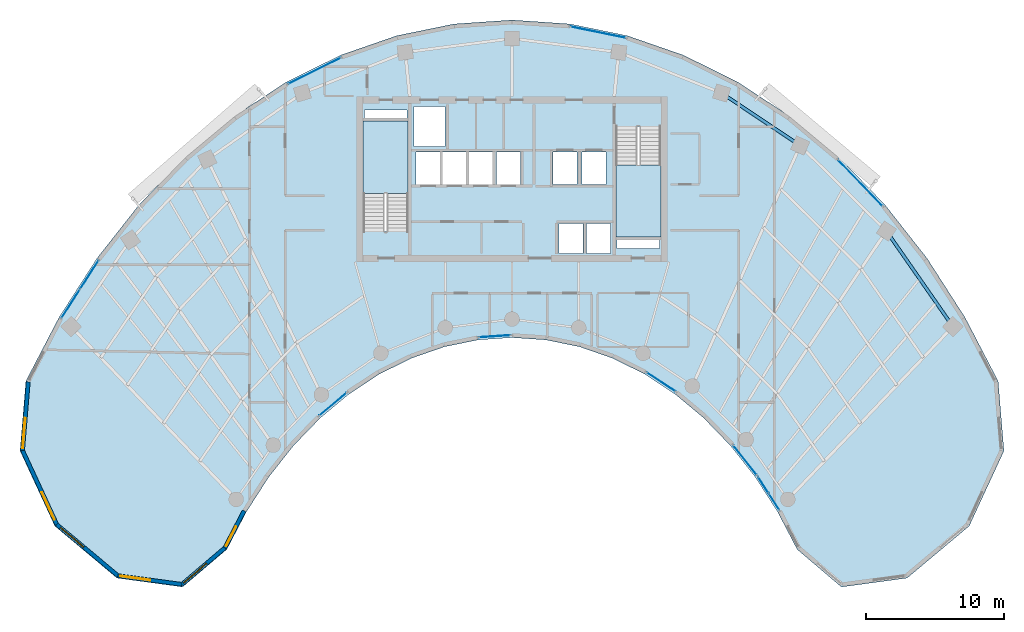
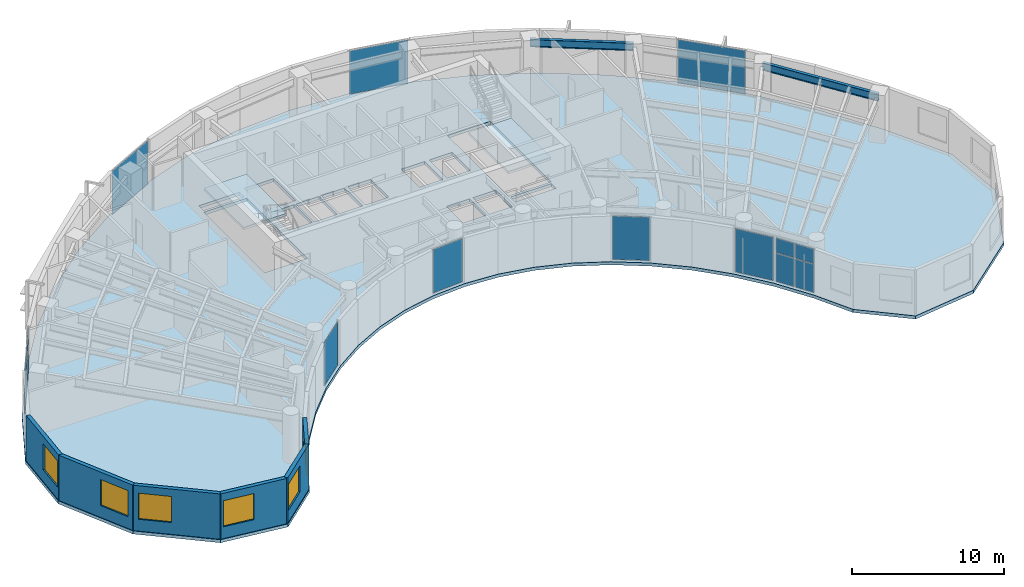
# One storey, part 6 of 13: 15 plates, 6 walls, 6 windows, 3 slabs, 2 beams, 6 openings, 11 elements without a shape of their own.
"""IFC4 building model written with IfcOpenShell, lengths in metres."""

from ifc_helpers import new_model, si_unit, direction, frame, frame_2d, origin, origin_2d, place, context, subcontext, project, spatial, polyline, rectangle, i_section, outline, extrude, source, transform, mapped, material, layer, layer_set, material_profile, profile_set, type_object, type_shapes, element, fill, aggregate, save


model = new_model("IFC4")

# Units and contexts
model_context = context("Model", 3, precision=1e-05, world=origin(), true_north=direction((0.0, 1.0)))
body_context = subcontext(model_context, "Body", "Model", "MODEL_VIEW")
ifc_project = project(units=[si_unit("LENGTHUNIT", "METRE"), si_unit("AREAUNIT", "SQUARE_METRE"), si_unit("VOLUMEUNIT", "CUBIC_METRE"), si_unit("PLANEANGLEUNIT", "RADIAN"), si_unit("MASSUNIT", "GRAM", prefix="KILO")], contexts=[model_context])

# Site, building, storey
site_placement = place(None, origin())
site = spatial("IfcSite", under=ifc_project, at=site_placement, CompositionType="ELEMENT")
building_placement = place(site_placement, origin())
building = spatial("IfcBuilding", under=site, at=building_placement, Name="Breltana Convention Tower", CompositionType="ELEMENT")
storey_placement = place(building_placement, frame((0.0, 0.0, 174.0)))
storey = spatial("IfcBuildingStorey", under=building, at=storey_placement, Name="L42", CompositionType="ELEMENT", Elevation=174.0)

# Beams
ifc_material_1 = material(Name="Steel ASTM A992 Grade 50", Category="steel")
ifc_material_profile = material_profile(ifc_material_1, i_section(OverallWidth=0.22802734375, OverallDepth=0.60791015625, WebThickness=0.01123046875, FlangeThickness=0.017333984375, at=origin_2d()), Name="W24X76")
ifc_profile_set = profile_set([ifc_material_profile], Name="Steel ASTM A992 Grade 50")
beam_type = type_object("IfcBeamType", Name="BM-SP-W24X76", PredefinedType="SPANDREL", material=ifc_profile_set)
shared_shape_1 = source(origin(), body_context, "Body", "SweptSolid", [
    extrude(i_section(OverallWidth=0.22802734375, OverallDepth=0.60791015625, WebThickness=0.01123046875, FlangeThickness=0.017333984375, at=origin_2d()), origin(), (0.0, 0.0, 1.0), 6.856689453125),
])
beam_1_placement = place(storey_placement, frame((63.208984375, 72.4423828125, 3.345947265625), z_axis=(0.83150210718, -0.55552159792, 0.0), x_axis=(0.55552159792, 0.83150210718, 0.0)))
element("IfcBeam", 1, at=beam_1_placement, inside=storey, type_object=beam_type, Name="L42 Outer Spandrel Beam 08", PredefinedType="SPANDREL", context=body_context, shape_type="MappedRepresentation", body=[
    mapped(shared_shape_1, transform((0.0, 0.0, 0.0), scale=1.0)),
])
shared_shape_2 = source(origin(), body_context, "Body", "SweptSolid", [
    extrude(i_section(OverallWidth=0.22802734375, OverallDepth=0.60791015625, WebThickness=0.01123046875, FlangeThickness=0.017333984375, at=origin_2d()), origin(), (0.0, 0.0, 1.0), 8.44970703125),
])
beam_2_placement = place(storey_placement, frame((75.166748046875, 62.43017578125, 3.345947265625), z_axis=(0.5711855381, -0.820820979913, 0.0), x_axis=(0.820820979913, 0.5711855381, 0.0)))
element("IfcBeam", 2, at=beam_2_placement, inside=storey, type_object=beam_type, Name="L42 Outer Spandrel Beam 10", PredefinedType="SPANDREL", context=body_context, shape_type="MappedRepresentation", body=[
    mapped(shared_shape_2, transform((0.0, 0.0, 0.0), scale=1.0)),
])

# Slab
ifc_material_2 = material(Name="Concrete C40/50", Category="concrete")
ifc_layer_1 = layer(ifc_material_2, 0.25, Name="Concrete C40/50")
ifc_layer_set_1 = layer_set([ifc_layer_1], Name="Concrete C40/50")
slab_type_1 = type_object("IfcSlabType", Name="SL-OFF-250", PredefinedType="FLOOR", material=ifc_layer_set_1)
slab_1_placement = place(storey_placement, frame((0.0, 0.0, -0.25)))
element("IfcSlab", 3, at=slab_1_placement, inside=storey, type_object=slab_type_1, Name="L42 Suspended Structural Floor Slab", PredefinedType="FLOOR", context=body_context, shape_type="SweptSolid", body=[
    extrude(outline(polyline([(83.27880859375, 51.539794921875), (80.870361328125, 56.166015625), (78.12548828125, 60.442138671875), (75.072265625, 64.32470703125), (71.74169921875, 67.774169921875), (68.168212890625, 70.7548828125), (64.387939453125, 73.236328125), (60.440185546875, 75.193115234375), (56.36474609375, 76.60546875), (52.203857421875, 77.45849609375), (48.0, 77.743896484375), (43.796142578125, 77.45849609375), (39.63525390625, 76.60546875), (35.559814453125, 75.193115234375), (31.612060546875, 73.236328125), (27.831787109375, 70.7548828125), (24.25830078125, 67.774169921875), (20.927734375, 64.32470703125), (17.87451171875, 60.442138671875), (15.129638671875, 56.166015625), (12.72119140625, 51.539794921875), (12.298095703125, 46.4794921875), (14.822509765625, 41.019287109375), (19.329833984375, 37.2451171875), (24.098876953125, 36.598388671875), (27.3076171875, 39.326171875), (28.72021484375, 42.03955078125), (30.330078125, 44.5478515625), (32.12109375, 46.8251953125), (34.07470703125, 48.848388671875), (36.170654296875, 50.5966796875), (38.3876953125, 52.052001953125), (40.703369140625, 53.19970703125), (43.09375, 54.0283203125), (45.5341796875, 54.528564453125), (48.0, 54.696044921875), (50.4658203125, 54.528564453125), (52.90625, 54.0283203125), (55.296630859375, 53.19970703125), (57.6123046875, 52.052001953125), (59.829345703125, 50.5966796875), (61.92529296875, 48.848388671875), (63.87890625, 46.8251953125), (65.669921875, 44.5478515625), (67.27978515625, 42.03955078125), (68.6923828125, 39.326171875), (71.901123046875, 36.598388671875), (76.670166015625, 37.2451171875), (81.177490234375, 41.019287109375), (83.701904296875, 46.4794921875), (83.27880859375, 51.539794921875)]), holes=[polyline([(37.199951171875, 62.385009765625), (40.469970703125, 62.385009765625), (40.469970703125, 70.39990234375), (37.199951171875, 70.39990234375), (37.199951171875, 62.385009765625)]), polyline([(55.530029296875, 62.0), (58.800048828125, 62.0), (58.800048828125, 70.014892578125), (55.530029296875, 70.014892578125), (55.530029296875, 62.0)]), polyline([(51.39990234375, 60.800048828125), (53.159912109375, 60.800048828125), (53.159912109375, 62.97998046875), (51.39990234375, 62.97998046875), (51.39990234375, 60.800048828125)]), polyline([(53.39990234375, 60.800048828125), (55.159912109375, 60.800048828125), (55.159912109375, 62.97998046875), (53.39990234375, 62.97998046875), (53.39990234375, 60.800048828125)]), polyline([(41.0400390625, 65.820068359375), (42.800048828125, 65.820068359375), (42.800048828125, 68.179931640625), (41.0400390625, 68.179931640625), (41.0400390625, 65.820068359375)]), polyline([(42.93994140625, 65.820068359375), (44.699951171875, 65.820068359375), (44.699951171875, 68.179931640625), (42.93994140625, 68.179931640625), (42.93994140625, 65.820068359375)]), polyline([(44.8701171875, 65.820068359375), (46.6298828125, 65.820068359375), (46.6298828125, 68.179931640625), (44.8701171875, 68.179931640625), (44.8701171875, 65.820068359375)]), polyline([(46.8701171875, 65.820068359375), (48.6298828125, 65.820068359375), (48.6298828125, 68.179931640625), (46.8701171875, 68.179931640625), (46.8701171875, 65.820068359375)]), polyline([(50.969970703125, 65.800048828125), (52.72998046875, 65.800048828125), (52.72998046875, 68.179931640625), (50.969970703125, 68.179931640625), (50.969970703125, 65.800048828125)]), polyline([(53.070068359375, 65.800048828125), (54.830078125, 65.800048828125), (54.830078125, 68.179931640625), (53.070068359375, 68.179931640625), (53.070068359375, 65.800048828125)]), polyline([(40.8798828125, 68.550048828125), (43.1201171875, 68.550048828125), (43.1201171875, 71.449951171875), (40.8798828125, 71.449951171875), (40.8798828125, 68.550048828125)]), polyline([(37.300048828125, 70.60009765625), (40.3798828125, 70.60009765625), (40.3798828125, 71.219970703125), (37.300048828125, 71.219970703125), (37.300048828125, 70.60009765625)]), polyline([(55.6201171875, 61.179931640625), (58.699951171875, 61.179931640625), (58.699951171875, 61.800048828125), (55.6201171875, 61.800048828125), (55.6201171875, 61.179931640625)])]), origin(), (0.0, 0.0, 1.0), 0.25),
])

# Stair, slab
stair_type = type_object("IfcStairType", Name="ST-DOG-1560-R177", PredefinedType="HALF_TURN_STAIR", material=ifc_material_2)
stair_1_placement = place(storey_placement, origin())
stair_1 = element("IfcStair", 4, at=stair_1_placement, inside=storey, type_object=stair_type, Name="L42 Protected Core Exit Stair ST-1", PredefinedType="HALF_TURN_STAIR")
ifc_layer_2 = layer(ifc_material_2, 0.199951171875, Name="Concrete C40/50")
ifc_layer_set_2 = layer_set([ifc_layer_2], Name="Concrete C40/50")
slab_type_2 = type_object("IfcSlabType", Name="SL-STAIR-LANDING-200", PredefinedType="LANDING", material=ifc_layer_set_2)
slab_2_placement = place(storey_placement, frame((0.0, 0.0, 1.75)))
slab_2 = element("IfcSlab", 5, at=slab_2_placement, type_object=slab_type_2, Name="ST-1 landing 1", PredefinedType="LANDING", context=body_context, shape_type="SweptSolid", body=[
    extrude(outline(polyline([(40.469970703125, 65.159912109375), (40.469970703125, 70.39990234375), (37.199951171875, 70.39990234375), (37.199951171875, 65.159912109375), (40.469970703125, 65.159912109375)])), origin(), (0.0, 0.0, 1.0), 0.199951171875),
])
aggregate(stair_1, [slab_2])

stair_2_placement = place(storey_placement, origin())
stair_2 = element("IfcStair", 6, at=stair_2_placement, inside=storey, type_object=stair_type, Name="L42 Protected Core Exit Stair ST-2", PredefinedType="HALF_TURN_STAIR")
slab_3_placement = place(storey_placement, frame((0.0, 0.0, 1.75)))
slab_3 = element("IfcSlab", 7, at=slab_3_placement, type_object=slab_type_2, Name="ST-2 landing 1", PredefinedType="LANDING", context=body_context, shape_type="SweptSolid", body=[
    extrude(outline(polyline([(55.530029296875, 67.239990234375), (55.530029296875, 62.0), (58.800048828125, 62.0), (58.800048828125, 67.239990234375), (55.530029296875, 67.239990234375)])), origin(), (0.0, 0.0, 1.0), 0.199951171875),
])
aggregate(stair_2, [slab_3])

# Curtain wall, plates
ifc_material_3 = material(Name="Aluminium Anodised Bronze Frame", Category="aluminium")
ifc_layer_3 = layer(ifc_material_3, 0.18994140625, Name="Aluminium Anodised Bronze Frame")
ifc_layer_set_3 = layer_set([ifc_layer_3], Name="Aluminium Anodised Bronze Frame")
curtain_wall_type_1 = type_object("IfcCurtainWallType", Name="CW-SYS-1", PredefinedType="NOTDEFINED", material=ifc_layer_set_3)
curtain_wall_1_placement = place(storey_placement, origin())
curtain_wall_1 = element("IfcCurtainWall", 8, at=curtain_wall_1_placement, inside=storey, type_object=curtain_wall_type_1, Name="L42 inner south-court glazing 1", PredefinedType="NOTDEFINED")
ifc_material_4 = material(Name="Glass Low-E Double Glazing", Category="glass")
ifc_layer_4 = layer(ifc_material_4, 0.028076171875, Name="Glass Low-E Double Glazing")
ifc_layer_set_4 = layer_set([ifc_layer_4], Name="Glass Low-E Double Glazing")
plate_type = type_object("IfcPlateType", Name="CWP-IGU-28", PredefinedType="CURTAIN_PANEL", material=ifc_layer_set_4)
shared_shape_3 = source(origin(), body_context, "Body", "SweptSolid", [
    extrude(rectangle(XDim=1.3701171875, YDim=0.028076171875, at=origin_2d()), origin(), (0.0, 0.0, 1.0), 2.25244140625),
])
plate_1_placement = place(storey_placement, frame((67.01806640625, 42.78076171875, 0.080078125), z_axis=(0.0, 0.0, 1.0), x_axis=(-0.540184298954, 0.841546744491, 0.0)))
plate_1 = element("IfcPlate", 9, at=plate_1_placement, type_object=plate_type, Name="CW-01 panel 1.1", PredefinedType="CURTAIN_PANEL", context=body_context, shape_type="MappedRepresentation", body=[
    mapped(shared_shape_3, transform((0.0, 0.0, 0.0), scale=1.0)),
])
plate_2_placement = place(storey_placement, frame((66.234619140625, 44.001220703125, 0.080078125), z_axis=(0.0, 0.0, 1.0), x_axis=(-0.540184298954, 0.841546744491, 0.0)))
plate_2 = element("IfcPlate", 10, at=plate_2_placement, type_object=plate_type, Name="CW-01 panel 2.1", PredefinedType="CURTAIN_PANEL", context=body_context, shape_type="MappedRepresentation", body=[
    mapped(shared_shape_3, transform((0.0, 0.0, 0.0), scale=1.0)),
])
shared_shape_4 = source(origin(), body_context, "Body", "SweptSolid", [
    extrude(rectangle(XDim=1.3701171875, YDim=0.028076171875, at=origin_2d()), origin(), (0.0, 0.0, 1.0), 1.157470703125),
])
plate_3_placement = place(storey_placement, frame((67.01806640625, 42.78076171875, 2.41259765625), z_axis=(0.0, 0.0, 1.0), x_axis=(-0.540184298954, 0.841546744491, 0.0)))
plate_3 = element("IfcPlate", 11, at=plate_3_placement, type_object=plate_type, Name="CW-01 panel 1.2", PredefinedType="CURTAIN_PANEL", context=body_context, shape_type="MappedRepresentation", body=[
    mapped(shared_shape_4, transform((0.0, 0.0, 0.0), scale=1.0)),
])
plate_4_placement = place(storey_placement, frame((66.234619140625, 44.001220703125, 2.41259765625), z_axis=(0.0, 0.0, 1.0), x_axis=(-0.540184298954, 0.841546744491, 0.0)))
plate_4 = element("IfcPlate", 12, at=plate_4_placement, type_object=plate_type, Name="CW-01 panel 2.2", PredefinedType="CURTAIN_PANEL", context=body_context, shape_type="MappedRepresentation", body=[
    mapped(shared_shape_4, transform((0.0, 0.0, 0.0), scale=1.0)),
])
aggregate(curtain_wall_1, [plate_1, plate_3, plate_2, plate_4])

# Curtain wall, plate
curtain_wall_2_placement = place(storey_placement, origin())
curtain_wall_2 = element("IfcCurtainWall", 13, at=curtain_wall_2_placement, inside=storey, type_object=curtain_wall_type_1, Name="L42 inner south-court glazing 2", PredefinedType="NOTDEFINED")
shared_shape_5 = source(origin(), body_context, "Body", "SweptSolid", [
    extrude(rectangle(XDim=2.737060546875, YDim=0.028076171875, at=origin_2d()), origin(), (0.0, 0.0, 1.0), 3.489990234375),
])
plate_5_placement = place(storey_placement, frame((64.915771484375, 45.7978515625, 0.080078125), z_axis=(0.0, 0.0, 1.0), x_axis=(-0.618161435717, 0.786051168431, 0.0)))
plate_5 = element("IfcPlate", 14, at=plate_5_placement, type_object=plate_type, Name="CW-01 panel 1.1", PredefinedType="CURTAIN_PANEL", context=body_context, shape_type="MappedRepresentation", body=[
    mapped(shared_shape_5, transform((0.0, 0.0, 0.0), scale=1.0)),
])
aggregate(curtain_wall_2, [plate_5])

curtain_wall_3_placement = place(storey_placement, origin())
curtain_wall_3 = element("IfcCurtainWall", 15, at=curtain_wall_3_placement, inside=storey, type_object=curtain_wall_type_1, Name="L42 inner south-court glazing 3", PredefinedType="NOTDEFINED")
shared_shape_6 = source(origin(), body_context, "Body", "SweptSolid", [
    extrude(rectangle(XDim=2.4921875, YDim=0.028076171875, at=origin_2d()), origin(), (0.0, 0.0, 1.0), 3.489990234375),
])
plate_6_placement = place(storey_placement, frame((58.819580078125, 51.474853515625, 0.080078125), z_axis=(0.0, 0.0, 1.0), x_axis=(-0.835985210307, 0.548751973252, 0.0)))
plate_6 = element("IfcPlate", 16, at=plate_6_placement, type_object=plate_type, Name="CW-01 panel 1.1", PredefinedType="CURTAIN_PANEL", context=body_context, shape_type="MappedRepresentation", body=[
    mapped(shared_shape_6, transform((0.0, 0.0, 0.0), scale=1.0)),
])
aggregate(curtain_wall_3, [plate_6])

curtain_wall_4_placement = place(storey_placement, origin())
curtain_wall_4 = element("IfcCurtainWall", 17, at=curtain_wall_4_placement, inside=storey, type_object=curtain_wall_type_1, Name="L42 inner south-court glazing 4", PredefinedType="NOTDEFINED")
shared_shape_7 = source(origin(), body_context, "Body", "SweptSolid", [
    extrude(rectangle(XDim=2.3115234375, YDim=0.028076171875, at=origin_2d()), origin(), (0.0, 0.0, 1.0), 3.489990234375),
])
plate_7_placement = place(storey_placement, frame((46.7548828125, 54.7919921875, 0.080078125), z_axis=(0.0, 0.0, 1.0), x_axis=(-0.997703496195, -0.067732810965, 0.0)))
plate_7 = element("IfcPlate", 18, at=plate_7_placement, type_object=plate_type, Name="CW-01 panel 1.1", PredefinedType="CURTAIN_PANEL", context=body_context, shape_type="MappedRepresentation", body=[
    mapped(shared_shape_7, transform((0.0, 0.0, 0.0), scale=1.0)),
])
aggregate(curtain_wall_4, [plate_7])

curtain_wall_5_placement = place(storey_placement, origin())
curtain_wall_5 = element("IfcCurtainWall", 19, at=curtain_wall_5_placement, inside=storey, type_object=curtain_wall_type_1, Name="L42 inner south-court glazing 5", PredefinedType="NOTDEFINED")
shared_shape_8 = source(origin(), body_context, "Body", "SweptSolid", [
    extrude(rectangle(XDim=2.5693359375, YDim=0.028076171875, at=origin_2d()), origin(), (0.0, 0.0, 1.0), 3.489990234375),
])
plate_8_placement = place(storey_placement, frame((35.00732421875, 49.860595703125, 0.080078125), z_axis=(0.0, 0.0, 1.0), x_axis=(-0.767926895316, -0.640537495741, 0.0)))
plate_8 = element("IfcPlate", 20, at=plate_8_placement, type_object=plate_type, Name="CW-01 panel 1.1", PredefinedType="CURTAIN_PANEL", context=body_context, shape_type="MappedRepresentation", body=[
    mapped(shared_shape_8, transform((0.0, 0.0, 0.0), scale=1.0)),
])
aggregate(curtain_wall_5, [plate_8])

# Curtain wall, plates
ifc_layer_5 = layer(ifc_material_3, 0.2099609375, Name="Aluminium Anodised Bronze Frame")
ifc_layer_set_5 = layer_set([ifc_layer_5], Name="Aluminium Anodised Bronze Frame")
curtain_wall_type_2 = type_object("IfcCurtainWallType", Name="CW-SYS-3", PredefinedType="NOTDEFINED", material=ifc_layer_set_5)
curtain_wall_6_placement = place(storey_placement, origin())
curtain_wall_6 = element("IfcCurtainWall", 21, at=curtain_wall_6_placement, inside=storey, type_object=curtain_wall_type_2, Name="L42 outer double-skin inner glazing 1", PredefinedType="NOTDEFINED")
shared_shape_9 = source(origin(), body_context, "Body", "SweptSolid", [
    extrude(rectangle(XDim=2.42724609375, YDim=0.028076171875, at=origin_2d()), origin(), (0.0, 0.0, 1.0), 2.25244140625),
])
plate_9_placement = place(storey_placement, frame((15.97900390625, 57.15576171875, 0.080078125), z_axis=(0.0, 0.0, 1.0), x_axis=(0.54017267843, 0.841554203529, 0.0)))
plate_9 = element("IfcPlate", 22, at=plate_9_placement, type_object=plate_type, Name="CW-03 panel 1.1", PredefinedType="CURTAIN_PANEL", context=body_context, shape_type="MappedRepresentation", body=[
    mapped(shared_shape_9, transform((0.0, 0.0, 0.0), scale=1.0)),
])
plate_10_placement = place(storey_placement, frame((17.327880859375, 59.25732421875, 0.080078125), z_axis=(0.0, 0.0, 1.0), x_axis=(0.54017267843, 0.841554203529, 0.0)))
plate_10 = element("IfcPlate", 23, at=plate_10_placement, type_object=plate_type, Name="CW-03 panel 2.1", PredefinedType="CURTAIN_PANEL", context=body_context, shape_type="MappedRepresentation", body=[
    mapped(shared_shape_9, transform((0.0, 0.0, 0.0), scale=1.0)),
])
shared_shape_10 = source(origin(), body_context, "Body", "SweptSolid", [
    extrude(rectangle(XDim=2.42724609375, YDim=0.028076171875, at=origin_2d()), origin(), (0.0, 0.0, 1.0), 1.157470703125),
])
plate_11_placement = place(storey_placement, frame((15.97900390625, 57.15576171875, 2.41259765625), z_axis=(0.0, 0.0, 1.0), x_axis=(0.54017267843, 0.841554203529, 0.0)))
plate_11 = element("IfcPlate", 24, at=plate_11_placement, type_object=plate_type, Name="CW-03 panel 1.2", PredefinedType="CURTAIN_PANEL", context=body_context, shape_type="MappedRepresentation", body=[
    mapped(shared_shape_10, transform((0.0, 0.0, 0.0), scale=1.0)),
])
plate_12_placement = place(storey_placement, frame((17.327880859375, 59.25732421875, 2.41259765625), z_axis=(0.0, 0.0, 1.0), x_axis=(0.54017267843, 0.841554203529, 0.0)))
plate_12 = element("IfcPlate", 25, at=plate_12_placement, type_object=plate_type, Name="CW-03 panel 2.2", PredefinedType="CURTAIN_PANEL", context=body_context, shape_type="MappedRepresentation", body=[
    mapped(shared_shape_10, transform((0.0, 0.0, 0.0), scale=1.0)),
])
aggregate(curtain_wall_6, [plate_9, plate_11, plate_10, plate_12])

# Curtain wall, plate
curtain_wall_7_placement = place(storey_placement, origin())
curtain_wall_7 = element("IfcCurtainWall", 26, at=curtain_wall_7_placement, inside=storey, type_object=curtain_wall_type_2, Name="L42 outer double-skin inner glazing 2", PredefinedType="NOTDEFINED")
shared_shape_11 = source(origin(), body_context, "Body", "SweptSolid", [
    extrude(rectangle(XDim=4.243896484375, YDim=0.028076171875, at=origin_2d()), origin(), (0.0, 0.0, 1.0), 3.489990234375),
])
plate_13_placement = place(storey_placement, frame((33.665771484375, 74.053466796875, 0.080078125), z_axis=(0.0, 0.0, 1.0), x_axis=(0.895968385619, 0.444117835682, 0.0)))
plate_13 = element("IfcPlate", 27, at=plate_13_placement, type_object=plate_type, Name="CW-03 panel 1.1", PredefinedType="CURTAIN_PANEL", context=body_context, shape_type="MappedRepresentation", body=[
    mapped(shared_shape_11, transform((0.0, 0.0, 0.0), scale=1.0)),
])
aggregate(curtain_wall_7, [plate_13])

curtain_wall_8_placement = place(storey_placement, origin())
curtain_wall_8 = element("IfcCurtainWall", 28, at=curtain_wall_8_placement, inside=storey, type_object=curtain_wall_type_2, Name="L42 outer double-skin inner glazing 3", PredefinedType="NOTDEFINED")
shared_shape_12 = source(origin(), body_context, "Body", "SweptSolid", [
    extrude(rectangle(XDim=4.08349609375, YDim=0.028076171875, at=origin_2d()), origin(), (0.0, 0.0, 1.0), 3.489990234375),
])
plate_14_placement = place(storey_placement, frame((54.248291015625, 76.855712890625, 0.080078125), z_axis=(0.0, 0.0, 1.0), x_axis=(0.979616560993, -0.200876562668, 0.0)))
plate_14 = element("IfcPlate", 29, at=plate_14_placement, type_object=plate_type, Name="CW-03 panel 1.1", PredefinedType="CURTAIN_PANEL", context=body_context, shape_type="MappedRepresentation", body=[
    mapped(shared_shape_12, transform((0.0, 0.0, 0.0), scale=1.0)),
])
aggregate(curtain_wall_8, [plate_14])

curtain_wall_9_placement = place(storey_placement, origin())
curtain_wall_9 = element("IfcCurtainWall", 30, at=curtain_wall_9_placement, inside=storey, type_object=curtain_wall_type_2, Name="L42 outer double-skin inner glazing 4", PredefinedType="NOTDEFINED")
shared_shape_13 = source(origin(), body_context, "Body", "SweptSolid", [
    extrude(rectangle(XDim=4.635986328125, YDim=0.028076171875, at=origin_2d()), origin(), (0.0, 0.0, 1.0), 3.489990234375),
])
plate_15_placement = place(storey_placement, frame((73.277587890625, 65.92431640625, 0.080078125), z_axis=(0.0, 0.0, 1.0), x_axis=(0.694602734297, -0.719393523398, 0.0)))
plate_15 = element("IfcPlate", 31, at=plate_15_placement, type_object=plate_type, Name="CW-03 panel 1.1", PredefinedType="CURTAIN_PANEL", context=body_context, shape_type="MappedRepresentation", body=[
    mapped(shared_shape_13, transform((0.0, 0.0, 0.0), scale=1.0)),
])
aggregate(curtain_wall_9, [plate_15])

# Wall, opening, window
ifc_material_5 = material(Name="Limestone Buff Insulated Wall", Category="masonry")
ifc_layer_6 = layer(ifc_material_5, 0.280029296875, Name="Limestone Buff Insulated Wall")
ifc_layer_set_6 = layer_set([ifc_layer_6], Name="Limestone Buff Insulated Wall")
wall_type = type_object("IfcWallType", Name="WL-EXT-NOSE-280", PredefinedType="SOLIDWALL", material=ifc_layer_set_6)
shared_shape_14 = source(origin(), body_context, "Body", "SweptSolid", [
    extrude(rectangle(XDim=4.994384765625, YDim=0.280029296875, at=frame_2d((2.4970703125, 0.0))), origin(), (0.0, 0.0, 1.0), 3.64990234375),
])
wall_1_placement = place(storey_placement, frame((12.4814453125, 46.51171875, 0.0), z_axis=(0.0, 0.0, 1.0), x_axis=(0.083344839916, 0.996520766296, 0.0)))
wall_1 = element("IfcWall", 32, at=wall_1_placement, inside=storey, type_object=wall_type, Name="L42 curved limestone nose wall W6", PredefinedType="SOLIDWALL", context=body_context, shape_type="MappedRepresentation", body=[
    mapped(shared_shape_14, transform((0.0, 0.0, 0.0), scale=1.0)),
])
opening_1_placement = place(wall_1_placement, frame((0.159912109375, 0.0, 0.949951171875)))
opening_1 = element("IfcOpeningElement", 33, at=opening_1_placement, cuts=wall_1, Name="Opening W-03", PredefinedType="OPENING", context=body_context, shape_type="SweptSolid", body=[
    extrude(rectangle(XDim=2.199951171875, YDim=2.10009765625, at=frame_2d((1.10009765625, 1.050048828125))), frame((0.0, 0.14990234375, 0.0), z_axis=(0.0, -1.0, 0.0), x_axis=(1.0, 0.0, 0.0)), (0.0, 0.0, 1.0), 0.300048828125),
])
ifc_material_6 = material(Name="Glass Low-E Insulated Window", Category="glass")
window_type_1 = type_object("IfcWindowType", Name="WN-NOSE-2200X2100", PartitioningType="TRIPLE_PANEL_VERTICAL", PredefinedType="WINDOW", material=ifc_material_6)
shared_shape_15 = source(origin(), body_context, "Body", "SweptSolid", [
    extrude(rectangle(XDim=2.199951171875, YDim=2.10009765625, at=frame_2d((1.10009765625, 1.050048828125))), frame((0.0, 0.030029296875, 0.0), z_axis=(0.0, -1.0, 0.0), x_axis=(1.0, 0.0, 0.0)), (0.0, 0.0, 1.0), 0.06005859375),
])
type_shapes(window_type_1, [shared_shape_15])
window_1_placement = place(opening_1_placement, origin())
window_1 = element("IfcWindow", 34, at=window_1_placement, inside=storey, type_object=window_type_1, Name="L42 nose window W6", OverallHeight=2.10009765625, OverallWidth=2.199951171875, PartitioningType="TRIPLE_PANEL_VERTICAL", PredefinedType="WINDOW", context=body_context, shape_type="MappedRepresentation", body=[
    mapped(shared_shape_15, transform((0.0, 0.0, 0.0), scale=1.0)),
])
fill(opening_1, window_1)

shared_shape_16 = source(origin(), body_context, "Body", "SweptSolid", [
    extrude(rectangle(XDim=5.927490234375, YDim=0.280029296875, at=frame_2d((2.9638671875, 0.0))), origin(), (0.0, 0.0, 1.0), 3.64990234375),
])
wall_2_placement = place(storey_placement, frame((14.968994140625, 41.13134765625, 0.0), z_axis=(0.0, 0.0, 1.0), x_axis=(-0.419656204795, 0.907683132914, 0.0)))
wall_2 = element("IfcWall", 35, at=wall_2_placement, inside=storey, type_object=wall_type, Name="L42 curved limestone nose wall W5", PredefinedType="SOLIDWALL", context=body_context, shape_type="MappedRepresentation", body=[
    mapped(shared_shape_16, transform((0.0, 0.0, 0.0), scale=1.0)),
])
opening_2_placement = place(wall_2_placement, frame((0.3818359375, 0.0, 0.949951171875)))
opening_2 = element("IfcOpeningElement", 36, at=opening_2_placement, cuts=wall_2, Name="Opening W-03", PredefinedType="OPENING", context=body_context, shape_type="SweptSolid", body=[
    extrude(rectangle(XDim=2.199951171875, YDim=2.10009765625, at=frame_2d((1.10009765625, 1.050048828125))), frame((0.0, 0.14990234375, 0.0), z_axis=(0.0, -1.0, 0.0), x_axis=(1.0, 0.0, 0.0)), (0.0, 0.0, 1.0), 0.300048828125),
])
window_2_placement = place(opening_2_placement, origin())
window_2 = element("IfcWindow", 37, at=window_2_placement, inside=storey, type_object=window_type_1, Name="L42 nose window W5", OverallHeight=2.10009765625, OverallWidth=2.199951171875, PartitioningType="TRIPLE_PANEL_VERTICAL", PredefinedType="WINDOW", context=body_context, shape_type="MappedRepresentation", body=[
    mapped(shared_shape_15, transform((0.0, 0.0, 0.0), scale=1.0)),
])
fill(opening_2, window_2)

shared_shape_17 = source(origin(), body_context, "Body", "SweptSolid", [
    extrude(rectangle(XDim=5.786376953125, YDim=0.280029296875, at=frame_2d((2.89306640625, 0.0))), origin(), (0.0, 0.0, 1.0), 3.64990234375),
])
wall_3_placement = place(storey_placement, frame((19.405517578125, 37.41650390625, 0.0), z_axis=(0.0, 0.0, 1.0), x_axis=(-0.766711306852, 0.641992034176, 0.0)))
wall_3 = element("IfcWall", 38, at=wall_3_placement, inside=storey, type_object=wall_type, Name="L42 curved limestone nose wall W4", PredefinedType="SOLIDWALL", context=body_context, shape_type="MappedRepresentation", body=[
    mapped(shared_shape_17, transform((0.0, 0.0, 0.0), scale=1.0)),
])
opening_3_placement = place(wall_3_placement, frame((3.239990234375, 0.0, 0.949951171875)))
opening_3 = element("IfcOpeningElement", 39, at=opening_3_placement, cuts=wall_3, Name="Opening W-03", PredefinedType="OPENING", context=body_context, shape_type="SweptSolid", body=[
    extrude(rectangle(XDim=2.199951171875, YDim=2.10009765625, at=frame_2d((1.10009765625, 1.050048828125))), frame((0.0, 0.14990234375, 0.0), z_axis=(0.0, -1.0, 0.0), x_axis=(1.0, 0.0, 0.0)), (0.0, 0.0, 1.0), 0.300048828125),
])
window_3_placement = place(opening_3_placement, origin())
window_3 = element("IfcWindow", 40, at=window_3_placement, inside=storey, type_object=window_type_1, Name="L42 nose window W4", OverallHeight=2.10009765625, OverallWidth=2.199951171875, PartitioningType="TRIPLE_PANEL_VERTICAL", PredefinedType="WINDOW", context=body_context, shape_type="MappedRepresentation", body=[
    mapped(shared_shape_15, transform((0.0, 0.0, 0.0), scale=1.0)),
])
fill(opening_3, window_3)

shared_shape_18 = source(origin(), body_context, "Body", "SweptSolid", [
    extrude(rectangle(XDim=4.680419921875, YDim=0.280029296875, at=frame_2d((2.34033203125, 0.0))), origin(), (0.0, 0.0, 1.0), 3.64990234375),
])
wall_4_placement = place(storey_placement, frame((24.04345703125, 36.78759765625, 0.0), z_axis=(0.0, 0.0, 1.0), x_axis=(-0.990931146435, 0.134370618162, 0.0)))
wall_4 = element("IfcWall", 41, at=wall_4_placement, inside=storey, type_object=wall_type, Name="L42 curved limestone nose wall W3", PredefinedType="SOLIDWALL", context=body_context, shape_type="MappedRepresentation", body=[
    mapped(shared_shape_18, transform((0.0, 0.0, 0.0), scale=1.0)),
])
opening_4_placement = place(wall_4_placement, frame((2.3203125, 0.0, 0.949951171875)))
opening_4 = element("IfcOpeningElement", 42, at=opening_4_placement, cuts=wall_4, Name="Opening W-03", PredefinedType="OPENING", context=body_context, shape_type="SweptSolid", body=[
    extrude(rectangle(XDim=2.199951171875, YDim=2.10009765625, at=frame_2d((1.10009765625, 1.050048828125))), frame((0.0, 0.14990234375, 0.0), z_axis=(0.0, -1.0, 0.0), x_axis=(1.0, 0.0, 0.0)), (0.0, 0.0, 1.0), 0.300048828125),
])
window_4_placement = place(opening_4_placement, origin())
window_4 = element("IfcWindow", 43, at=window_4_placement, inside=storey, type_object=window_type_1, Name="L42 nose window W3", OverallHeight=2.10009765625, OverallWidth=2.199951171875, PartitioningType="TRIPLE_PANEL_VERTICAL", PredefinedType="WINDOW", context=body_context, shape_type="MappedRepresentation", body=[
    mapped(shared_shape_15, transform((0.0, 0.0, 0.0), scale=1.0)),
])
fill(opening_4, window_4)

shared_shape_19 = source(origin(), body_context, "Body", "SweptSolid", [
    extrude(rectangle(XDim=4.095947265625, YDim=0.280029296875, at=frame_2d((2.0478515625, 0.0))), origin(), (0.0, 0.0, 1.0), 3.64990234375),
])
wall_5_placement = place(storey_placement, frame((27.164306640625, 39.4404296875, 0.0), z_axis=(0.0, 0.0, 1.0), x_axis=(-0.761926081737, -0.647663991564, 0.0)))
wall_5 = element("IfcWall", 44, at=wall_5_placement, inside=storey, type_object=wall_type, Name="L42 curved limestone nose wall W2", PredefinedType="SOLIDWALL", context=body_context, shape_type="MappedRepresentation", body=[
    mapped(shared_shape_19, transform((0.0, 0.0, 0.0), scale=1.0)),
])
opening_5_placement = place(wall_5_placement, frame((1.736083984375, 0.0, 0.949951171875)))
opening_5 = element("IfcOpeningElement", 45, at=opening_5_placement, cuts=wall_5, Name="Opening W-03", PredefinedType="OPENING", context=body_context, shape_type="SweptSolid", body=[
    extrude(rectangle(XDim=2.199951171875, YDim=2.10009765625, at=frame_2d((1.10009765625, 1.050048828125))), frame((0.0, 0.14990234375, 0.0), z_axis=(0.0, -1.0, 0.0), x_axis=(1.0, 0.0, 0.0)), (0.0, 0.0, 1.0), 0.300048828125),
])
window_5_placement = place(opening_5_placement, origin())
window_5 = element("IfcWindow", 46, at=window_5_placement, inside=storey, type_object=window_type_1, Name="L42 nose window W2", OverallHeight=2.10009765625, OverallWidth=2.199951171875, PartitioningType="TRIPLE_PANEL_VERTICAL", PredefinedType="WINDOW", context=body_context, shape_type="MappedRepresentation", body=[
    mapped(shared_shape_15, transform((0.0, 0.0, 0.0), scale=1.0)),
])
fill(opening_5, window_5)

shared_shape_20 = source(origin(), body_context, "Body", "SweptSolid", [
    extrude(rectangle(XDim=3.02392578125, YDim=0.280029296875, at=frame_2d((1.511962890625, 0.0))), origin(), (0.0, 0.0, 1.0), 3.64990234375),
])
wall_6_placement = place(storey_placement, frame((28.560546875, 42.122802734375, 0.0), z_axis=(0.0, 0.0, 1.0), x_axis=(-0.461718746531, -0.887026380161, 0.0)))
wall_6 = element("IfcWall", 47, at=wall_6_placement, inside=storey, type_object=wall_type, Name="L42 curved limestone nose wall W1", PredefinedType="SOLIDWALL", context=body_context, shape_type="MappedRepresentation", body=[
    mapped(shared_shape_20, transform((0.0, 0.0, 0.0), scale=1.0)),
])
opening_6_placement = place(wall_6_placement, frame((1.263916015625, 0.0, 0.949951171875)))
opening_6 = element("IfcOpeningElement", 48, at=opening_6_placement, cuts=wall_6, Name="Opening W-04", PredefinedType="OPENING", context=body_context, shape_type="SweptSolid", body=[
    extrude(rectangle(XDim=1.60009765625, YDim=1.89990234375, at=frame_2d((0.800048828125, 0.949951171875))), frame((0.0, 0.14990234375, 0.0), z_axis=(0.0, -1.0, 0.0), x_axis=(1.0, 0.0, 0.0)), (0.0, 0.0, 1.0), 0.300048828125),
])
window_type_2 = type_object("IfcWindowType", Name="WN-NOSE-1600X1900", PartitioningType="SINGLE_PANEL", PredefinedType="WINDOW", material=ifc_material_6)
shared_shape_21 = source(origin(), body_context, "Body", "SweptSolid", [
    extrude(rectangle(XDim=1.60009765625, YDim=1.89990234375, at=frame_2d((0.800048828125, 0.949951171875))), frame((0.0, 0.030029296875, 0.0), z_axis=(0.0, -1.0, 0.0), x_axis=(1.0, 0.0, 0.0)), (0.0, 0.0, 1.0), 0.06005859375),
])
type_shapes(window_type_2, [shared_shape_21])
window_6_placement = place(opening_6_placement, origin())
window_6 = element("IfcWindow", 49, at=window_6_placement, inside=storey, type_object=window_type_2, Name="L42 nose window W1", OverallHeight=1.89990234375, OverallWidth=1.60009765625, PartitioningType="SINGLE_PANEL", PredefinedType="WINDOW", context=body_context, shape_type="MappedRepresentation", body=[
    mapped(shared_shape_21, transform((0.0, 0.0, 0.0), scale=1.0)),
])
fill(opening_6, window_6)

save(model, "model.ifc")
